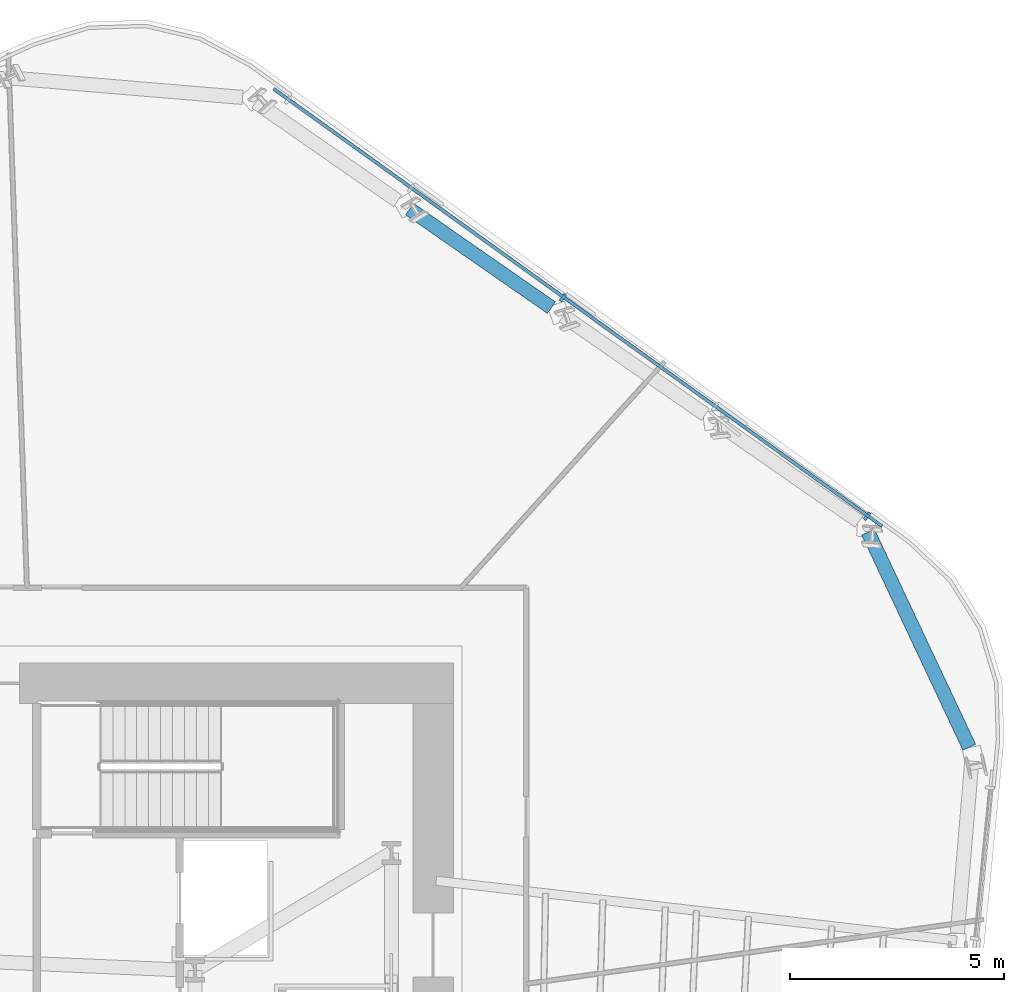
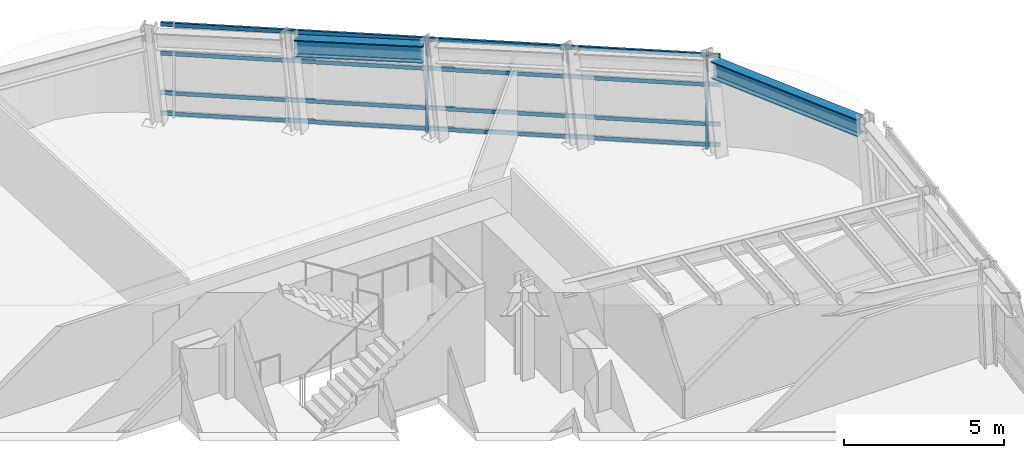
# One storey, part 7 of 16: 6 members, 2 beams, 1 element without a shape of its own.
"""IFC4 building model written with IfcOpenShell, lengths in metres."""

from ifc_helpers import new_model, si_unit, direction, frame, origin, origin_2d, place, context, subcontext, project, spatial, rectangle, i_section, extrude, material, layer, layer_set, material_profile, profile_set, type_object, element, aggregate, save


model = new_model("IFC4")

# Units and contexts
model_context = context("Model", 3, precision=1e-05, world=origin(), true_north=direction((0.0, 1.0)))
body_context = subcontext(model_context, "Body", "Model", "MODEL_VIEW")
ifc_project = project(units=[si_unit("LENGTHUNIT", "METRE"), si_unit("AREAUNIT", "SQUARE_METRE"), si_unit("VOLUMEUNIT", "CUBIC_METRE"), si_unit("PLANEANGLEUNIT", "RADIAN"), si_unit("MASSUNIT", "GRAM", prefix="KILO")], contexts=[model_context])

# Site, building, storey
site_placement = place(None, origin())
site = spatial("IfcSite", under=ifc_project, at=site_placement, CompositionType="ELEMENT")
building_placement = place(site_placement, origin())
building = spatial("IfcBuilding", under=site, at=building_placement, Name="Valkerne Bourse Tower", CompositionType="ELEMENT")
storey_placement = place(building_placement, frame((0.0, 0.0, 127.60009765625)))
storey = spatial("IfcBuildingStorey", under=building, at=storey_placement, Name="L32", CompositionType="ELEMENT", Elevation=127.60009765625)

# Beams
ifc_material_1 = material(Name="Steel ASTM A992", Category="steel")
ifc_material_profile_1 = material_profile(ifc_material_1, i_section(OverallWidth=0.330078125, OverallDepth=0.647705078125, WebThickness=0.0205078125, FlangeThickness=0.037109375, FilletRadius=0.020263671875, at=origin_2d()), Name="W24X192")
ifc_profile_set_1 = profile_set([ifc_material_profile_1], Name="Steel ASTM A992")
beam_type = type_object("IfcBeamType", Name="BM-W24X192", PredefinedType="SPANDREL", material=ifc_profile_set_1)
beam_1_placement = place(storey_placement, frame((58.6953125, 44.4130859375, 3.256103515625), z_axis=(-0.821116839452, 0.570760138734, 0.0), x_axis=(-0.570760138734, -0.821116839452, 0.0)))
element("IfcBeam", 1, at=beam_1_placement, inside=storey, type_object=beam_type, Name="L32 Hexagonal Spandrel Ring Beam 02", PredefinedType="SPANDREL", context=body_context, shape_type="SweptSolid", body=[
    extrude(i_section(OverallWidth=0.330078125, OverallDepth=0.647705078125, WebThickness=0.0205078125, FlangeThickness=0.037109375, FilletRadius=0.020263671875, at=origin_2d()), origin(), (0.0, 0.0, 1.0), 4.04296875),
])
beam_2_placement = place(storey_placement, frame((68.474853515625, 34.12451171875, 3.256103515625), z_axis=(-0.425763228649, 0.904834610926, 0.0), x_axis=(-0.904834610926, -0.425763228649, 0.0)))
element("IfcBeam", 2, at=beam_2_placement, inside=storey, type_object=beam_type, Name="L32 Hexagonal Spandrel Ring Beam 29", PredefinedType="SPANDREL", context=body_context, shape_type="SweptSolid", body=[
    extrude(i_section(OverallWidth=0.330078125, OverallDepth=0.647705078125, WebThickness=0.0205078125, FlangeThickness=0.037109375, FilletRadius=0.020263671875, at=origin_2d()), origin(), (0.0, 0.0, 1.0), 5.564453125),
])

# Curtain wall, members
ifc_material_2 = material(Name="Aluminium AA 6063-T6", Category="aluminium")
ifc_layer = layer(ifc_material_2, 0.22998046875)
ifc_layer_set = layer_set([ifc_layer], Name="Aluminium AA 6063-T6")
curtain_wall_type = type_object("IfcCurtainWallType", Name="CW-02", PredefinedType="NOTDEFINED", material=ifc_layer_set)
curtain_wall_placement = place(storey_placement, origin())
curtain_wall = element("IfcCurtainWall", 3, at=curtain_wall_placement, inside=storey, type_object=curtain_wall_type, Name="L32 Hexagonal Stick Curtain Wall Face 1", PredefinedType="NOTDEFINED")
ifc_material_profile_2 = material_profile(ifc_material_2, rectangle(XDim=0.074951171875, YDim=0.199951171875, at=origin_2d()), Name="CWM-75X200")
ifc_profile_set_2 = profile_set([ifc_material_profile_2], Name="Aluminium AA 6063-T6")
member_type_1 = type_object("IfcMemberType", Name="CW-MUL-220X75", PredefinedType="MULLION", material=ifc_profile_set_2)
member_1_placement = place(storey_placement, frame((66.08154296875, 39.531005859375, 0.0), z_axis=(0.0, 0.0, 1.0), x_axis=(-0.812093080647, 0.583527915669, 0.0)))
member_1 = element("IfcMember", 4, at=member_1_placement, type_object=member_type_1, Name="CW-L32-F1 Jamb Mullion 00A", PredefinedType="MULLION", context=body_context, shape_type="SweptSolid", body=[
    extrude(rectangle(XDim=0.074951171875, YDim=0.199951171875, at=origin_2d()), origin(), (0.0, 0.0, 1.0), 3.579833984375),
])
member_2_placement = place(storey_placement, frame((58.962890625, 44.646240234375, 0.0), z_axis=(0.0, 0.0, 1.0), x_axis=(-0.812082268884, 0.583542962055, 0.0)))
member_2 = element("IfcMember", 5, at=member_2_placement, type_object=member_type_1, Name="CW-L32-F1 Jamb Mullion 02A", PredefinedType="MULLION", context=body_context, shape_type="SweptSolid", body=[
    extrude(rectangle(XDim=0.074951171875, YDim=0.199951171875, at=origin_2d()), origin(), (0.0, 0.0, 1.0), 3.579833984375),
])
ifc_material_profile_3 = material_profile(ifc_material_2, rectangle(XDim=0.074951171875, YDim=0.14990234375, at=origin_2d()), Name="CWT-75X150")
ifc_profile_set_3 = profile_set([ifc_material_profile_3], Name="Aluminium AA 6063-T6")
member_type_2 = type_object("IfcMemberType", Name="CW-TRN-180X65", PredefinedType="USERDEFINED", material=ifc_profile_set_3)
member_3_placement = place(storey_placement, frame((66.434326171875, 39.302001953125, 0.119873046875), z_axis=(-0.812078887572, 0.583547667599, 0.0), x_axis=(-0.583547667599, -0.812078887572, 0.0)))
member_3 = element("IfcMember", 6, at=member_3_placement, type_object=member_type_2, Name="CW-L32-F1 Continuous Face Transom 1", ObjectType="TRANSOM", PredefinedType="USERDEFINED", context=body_context, shape_type="SweptSolid", body=[
    extrude(rectangle(XDim=0.074951171875, YDim=0.14990234375, at=origin_2d()), origin(), (0.0, 0.0, 1.0), 17.531982421875),
])
member_4_placement = place(storey_placement, frame((66.434326171875, 39.302001953125, 0.89990234375), z_axis=(-0.812078887572, 0.583547667599, 0.0), x_axis=(-0.583547667599, -0.812078887572, 0.0)))
member_4 = element("IfcMember", 7, at=member_4_placement, type_object=member_type_2, Name="CW-L32-F1 Continuous Face Transom 2", ObjectType="TRANSOM", PredefinedType="USERDEFINED", context=body_context, shape_type="SweptSolid", body=[
    extrude(rectangle(XDim=0.074951171875, YDim=0.14990234375, at=origin_2d()), origin(), (0.0, 0.0, 1.0), 17.531982421875),
])
member_5_placement = place(storey_placement, frame((66.434326171875, 39.302001953125, 2.39990234375), z_axis=(-0.812078887572, 0.583547667599, 0.0), x_axis=(-0.583547667599, -0.812078887572, 0.0)))
member_5 = element("IfcMember", 8, at=member_5_placement, type_object=member_type_2, Name="CW-L32-F1 Continuous Face Transom 3", ObjectType="TRANSOM", PredefinedType="USERDEFINED", context=body_context, shape_type="SweptSolid", body=[
    extrude(rectangle(XDim=0.074951171875, YDim=0.14990234375, at=origin_2d()), origin(), (0.0, 0.0, 1.0), 17.531982421875),
])
member_6_placement = place(storey_placement, frame((66.434326171875, 39.302001953125, 3.5), z_axis=(-0.812078887572, 0.583547667599, 0.0), x_axis=(-0.583547667599, -0.812078887572, 0.0)))
member_6 = element("IfcMember", 9, at=member_6_placement, type_object=member_type_2, Name="CW-L32-F1 Continuous Face Transom 4", ObjectType="TRANSOM", PredefinedType="USERDEFINED", context=body_context, shape_type="SweptSolid", body=[
    extrude(rectangle(XDim=0.074951171875, YDim=0.14990234375, at=origin_2d()), origin(), (0.0, 0.0, 1.0), 17.531982421875),
])
aggregate(curtain_wall, [member_3, member_4, member_5, member_6, member_1, member_2])

save(model, "model.ifc")
